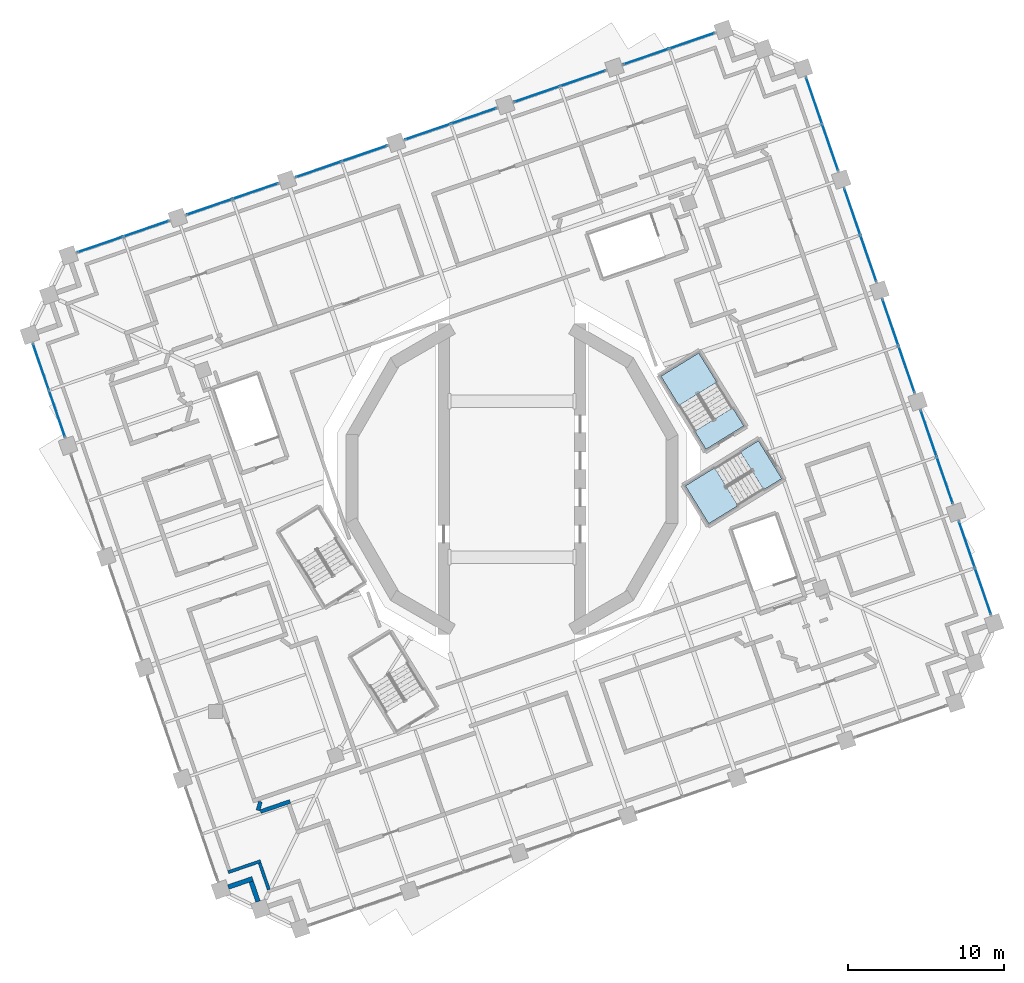
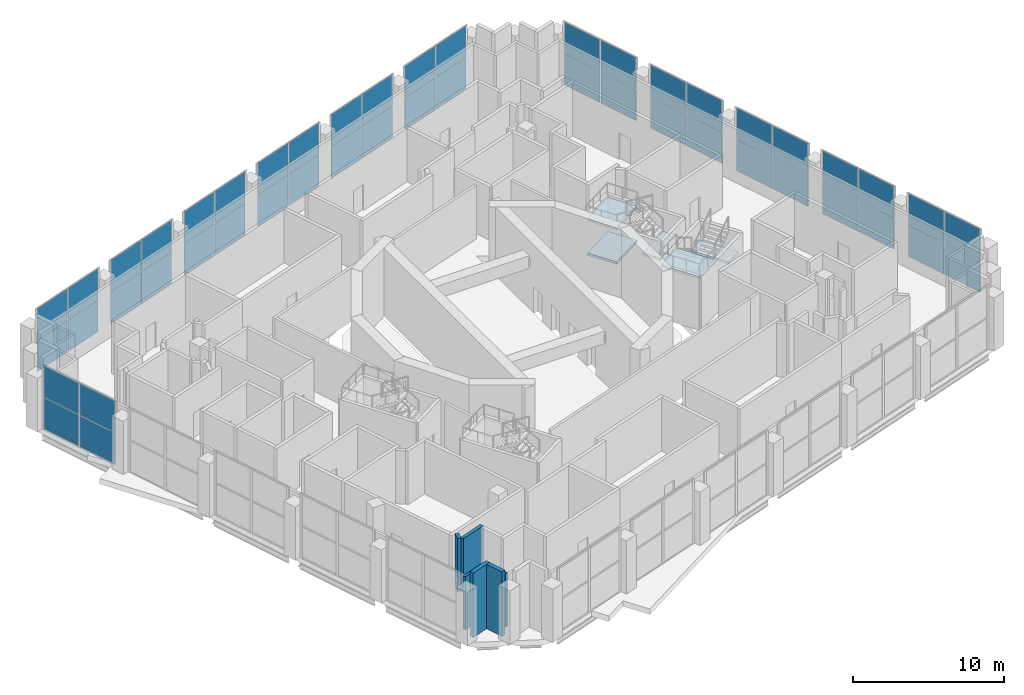
# One storey, part 10 of 20: 48 plates, 6 walls, 5 slabs, 14 elements without a shape of their own.
"""IFC4 building model written with IfcOpenShell, lengths in metres."""

from ifc_helpers import new_model, si_unit, direction, frame, frame_2d, origin, origin_2d, place, context, subcontext, project, spatial, polyline, rectangle, outline, extrude, material, layer, layer_set, type_object, element, aggregate, save


model = new_model("IFC4")

# Units and contexts
model_context = context("Model", 3, precision=1e-05, world=origin(), true_north=direction((0.0, 1.0)))
body_context = subcontext(model_context, "Body", "Model", "MODEL_VIEW")
ifc_project = project(units=[si_unit("LENGTHUNIT", "METRE"), si_unit("AREAUNIT", "SQUARE_METRE"), si_unit("VOLUMEUNIT", "CUBIC_METRE"), si_unit("PLANEANGLEUNIT", "RADIAN"), si_unit("MASSUNIT", "GRAM", prefix="KILO")], contexts=[model_context])

# Site, building, storey
site_placement = place(None, origin())
site = spatial("IfcSite", under=ifc_project, at=site_placement, CompositionType="ELEMENT")
building_placement = place(site_placement, origin())
building = spatial("IfcBuilding", under=site, at=building_placement, Name="Cantera Rosa Tower", CompositionType="ELEMENT")
storey_placement = place(building_placement, frame((0.0, 0.0, 142.10009765625)))
storey = spatial("IfcBuildingStorey", under=building, at=storey_placement, Name="L30", CompositionType="ELEMENT", Elevation=142.10009765625)

# Curtain wall, plates
ifc_material_1 = material(Name="Anodised aluminium louvre", Category="aluminium")
curtain_wall_type = type_object("IfcCurtainWallType", Name="CW3 REFUGE LOUVRE WALL", PredefinedType="NOTDEFINED", material=ifc_material_1)
curtain_wall_1_placement = place(storey_placement, origin())
curtain_wall_1 = element("IfcCurtainWall", 1, at=curtain_wall_1_placement, inside=storey, type_object=curtain_wall_type, Name="CW3 CW3", PredefinedType="NOTDEFINED")
ifc_material_2 = material(Name="Anodised aluminium louvre", Category="aluminium")
ifc_layer_1 = layer(ifc_material_2, 0.028076171875)
ifc_layer_set_1 = layer_set([ifc_layer_1], Name="CW-PANEL REFUGE")
plate_type = type_object("IfcPlateType", Name="CW-PANEL REFUGE", PredefinedType="CURTAIN_PANEL", material=ifc_layer_set_1)
plate_1_placement = place(storey_placement, frame((30.18505859375, -7.189453125, 0.06005859375), z_axis=(0.0, 0.0, 1.0), x_axis=(-0.325568154441, 0.945518575605, 0.0)))
plate_1 = element("IfcPlate", 2, at=plate_1_placement, type_object=plate_type, Name="CW3 panel 1.1", PredefinedType="CURTAIN_PANEL", context=body_context, shape_type="SweptSolid", body=[
    extrude(rectangle(XDim=3.090087890625, YDim=0.028076171875, at=origin_2d()), origin(), (0.0, 0.0, 1.0), 2.510009765625),
])
plate_2_placement = place(storey_placement, frame((30.18505859375, -7.189453125, 2.6298828125), z_axis=(0.0, 0.0, 1.0), x_axis=(-0.325568154441, 0.945518575605, 0.0)))
plate_2 = element("IfcPlate", 3, at=plate_2_placement, type_object=plate_type, Name="CW3 panel 1.2", PredefinedType="CURTAIN_PANEL", context=body_context, shape_type="SweptSolid", body=[
    extrude(rectangle(XDim=3.090087890625, YDim=0.028076171875, at=origin_2d()), origin(), (0.0, 0.0, 1.0), 2.510009765625),
])
plate_3_placement = place(storey_placement, frame((29.153076171875, -4.192138671875, 0.06005859375), z_axis=(0.0, 0.0, 1.0), x_axis=(-0.325568154441, 0.945518575605, 0.0)))
plate_3 = element("IfcPlate", 4, at=plate_3_placement, type_object=plate_type, Name="CW3 panel 2.1", PredefinedType="CURTAIN_PANEL", context=body_context, shape_type="SweptSolid", body=[
    extrude(rectangle(XDim=3.090087890625, YDim=0.028076171875, at=origin_2d()), origin(), (0.0, 0.0, 1.0), 2.510009765625),
])
plate_4_placement = place(storey_placement, frame((29.153076171875, -4.192138671875, 2.6298828125), z_axis=(0.0, 0.0, 1.0), x_axis=(-0.325568154441, 0.945518575605, 0.0)))
plate_4 = element("IfcPlate", 5, at=plate_4_placement, type_object=plate_type, Name="CW3 panel 2.2", PredefinedType="CURTAIN_PANEL", context=body_context, shape_type="SweptSolid", body=[
    extrude(rectangle(XDim=3.090087890625, YDim=0.028076171875, at=origin_2d()), origin(), (0.0, 0.0, 1.0), 2.510009765625),
])
aggregate(curtain_wall_1, [plate_1, plate_2, plate_3, plate_4])

curtain_wall_2_placement = place(storey_placement, origin())
curtain_wall_2 = element("IfcCurtainWall", 6, at=curtain_wall_2_placement, inside=storey, type_object=curtain_wall_type, Name="CW3 CW3", PredefinedType="NOTDEFINED")
plate_5_placement = place(storey_placement, frame((27.73681640625, -0.0791015625, 0.06005859375), z_axis=(0.0, 0.0, 1.0), x_axis=(-0.325568154474, 0.945518575594, 0.0)))
plate_5 = element("IfcPlate", 7, at=plate_5_placement, type_object=plate_type, Name="CW3 panel 1.1", PredefinedType="CURTAIN_PANEL", context=body_context, shape_type="SweptSolid", body=[
    extrude(rectangle(XDim=3.090087890625, YDim=0.028076171875, at=origin_2d()), origin(), (0.0, 0.0, 1.0), 2.510009765625),
])
plate_6_placement = place(storey_placement, frame((27.73681640625, -0.0791015625, 2.6298828125), z_axis=(0.0, 0.0, 1.0), x_axis=(-0.325568154474, 0.945518575594, 0.0)))
plate_6 = element("IfcPlate", 8, at=plate_6_placement, type_object=plate_type, Name="CW3 panel 1.2", PredefinedType="CURTAIN_PANEL", context=body_context, shape_type="SweptSolid", body=[
    extrude(rectangle(XDim=3.090087890625, YDim=0.028076171875, at=origin_2d()), origin(), (0.0, 0.0, 1.0), 2.510009765625),
])
plate_7_placement = place(storey_placement, frame((26.704833984375, 2.918212890625, 0.06005859375), z_axis=(0.0, 0.0, 1.0), x_axis=(-0.325568154474, 0.945518575594, 0.0)))
plate_7 = element("IfcPlate", 9, at=plate_7_placement, type_object=plate_type, Name="CW3 panel 2.1", PredefinedType="CURTAIN_PANEL", context=body_context, shape_type="SweptSolid", body=[
    extrude(rectangle(XDim=3.090087890625, YDim=0.028076171875, at=origin_2d()), origin(), (0.0, 0.0, 1.0), 2.510009765625),
])
plate_8_placement = place(storey_placement, frame((26.704833984375, 2.918212890625, 2.6298828125), z_axis=(0.0, 0.0, 1.0), x_axis=(-0.325568154474, 0.945518575594, 0.0)))
plate_8 = element("IfcPlate", 10, at=plate_8_placement, type_object=plate_type, Name="CW3 panel 2.2", PredefinedType="CURTAIN_PANEL", context=body_context, shape_type="SweptSolid", body=[
    extrude(rectangle(XDim=3.090087890625, YDim=0.028076171875, at=origin_2d()), origin(), (0.0, 0.0, 1.0), 2.510009765625),
])
aggregate(curtain_wall_2, [plate_5, plate_6, plate_7, plate_8])

curtain_wall_3_placement = place(storey_placement, origin())
curtain_wall_3 = element("IfcCurtainWall", 11, at=curtain_wall_3_placement, inside=storey, type_object=curtain_wall_type, Name="CW3 CW3", PredefinedType="NOTDEFINED")
plate_9_placement = place(storey_placement, frame((25.28857421875, 7.03125, 0.06005859375), z_axis=(0.0, 0.0, 1.0), x_axis=(-0.325568154441, 0.945518575605, 0.0)))
plate_9 = element("IfcPlate", 12, at=plate_9_placement, type_object=plate_type, Name="CW3 panel 1.1", PredefinedType="CURTAIN_PANEL", context=body_context, shape_type="SweptSolid", body=[
    extrude(rectangle(XDim=3.090087890625, YDim=0.028076171875, at=origin_2d()), origin(), (0.0, 0.0, 1.0), 2.510009765625),
])
plate_10_placement = place(storey_placement, frame((25.28857421875, 7.03125, 2.6298828125), z_axis=(0.0, 0.0, 1.0), x_axis=(-0.325568154441, 0.945518575605, 0.0)))
plate_10 = element("IfcPlate", 13, at=plate_10_placement, type_object=plate_type, Name="CW3 panel 1.2", PredefinedType="CURTAIN_PANEL", context=body_context, shape_type="SweptSolid", body=[
    extrude(rectangle(XDim=3.090087890625, YDim=0.028076171875, at=origin_2d()), origin(), (0.0, 0.0, 1.0), 2.510009765625),
])
plate_11_placement = place(storey_placement, frame((24.256591796875, 10.028564453125, 0.06005859375), z_axis=(0.0, 0.0, 1.0), x_axis=(-0.325568154441, 0.945518575605, 0.0)))
plate_11 = element("IfcPlate", 14, at=plate_11_placement, type_object=plate_type, Name="CW3 panel 2.1", PredefinedType="CURTAIN_PANEL", context=body_context, shape_type="SweptSolid", body=[
    extrude(rectangle(XDim=3.090087890625, YDim=0.028076171875, at=origin_2d()), origin(), (0.0, 0.0, 1.0), 2.510009765625),
])
plate_12_placement = place(storey_placement, frame((24.256591796875, 10.028564453125, 2.6298828125), z_axis=(0.0, 0.0, 1.0), x_axis=(-0.325568154441, 0.945518575605, 0.0)))
plate_12 = element("IfcPlate", 15, at=plate_12_placement, type_object=plate_type, Name="CW3 panel 2.2", PredefinedType="CURTAIN_PANEL", context=body_context, shape_type="SweptSolid", body=[
    extrude(rectangle(XDim=3.090087890625, YDim=0.028076171875, at=origin_2d()), origin(), (0.0, 0.0, 1.0), 2.510009765625),
])
aggregate(curtain_wall_3, [plate_9, plate_10, plate_11, plate_12])

curtain_wall_4_placement = place(storey_placement, origin())
curtain_wall_4 = element("IfcCurtainWall", 16, at=curtain_wall_4_placement, inside=storey, type_object=curtain_wall_type, Name="CW3 CW3", PredefinedType="NOTDEFINED")
plate_13_placement = place(storey_placement, frame((22.84033203125, 14.1416015625, 0.06005859375), z_axis=(0.0, 0.0, 1.0), x_axis=(-0.325568154474, 0.945518575594, 0.0)))
plate_13 = element("IfcPlate", 17, at=plate_13_placement, type_object=plate_type, Name="CW3 panel 1.1", PredefinedType="CURTAIN_PANEL", context=body_context, shape_type="SweptSolid", body=[
    extrude(rectangle(XDim=3.090087890625, YDim=0.028076171875, at=origin_2d()), origin(), (0.0, 0.0, 1.0), 2.510009765625),
])
plate_14_placement = place(storey_placement, frame((22.84033203125, 14.1416015625, 2.6298828125), z_axis=(0.0, 0.0, 1.0), x_axis=(-0.325568154474, 0.945518575594, 0.0)))
plate_14 = element("IfcPlate", 18, at=plate_14_placement, type_object=plate_type, Name="CW3 panel 1.2", PredefinedType="CURTAIN_PANEL", context=body_context, shape_type="SweptSolid", body=[
    extrude(rectangle(XDim=3.090087890625, YDim=0.028076171875, at=origin_2d()), origin(), (0.0, 0.0, 1.0), 2.510009765625),
])
plate_15_placement = place(storey_placement, frame((21.808349609375, 17.138916015625, 0.06005859375), z_axis=(0.0, 0.0, 1.0), x_axis=(-0.325568154474, 0.945518575594, 0.0)))
plate_15 = element("IfcPlate", 19, at=plate_15_placement, type_object=plate_type, Name="CW3 panel 2.1", PredefinedType="CURTAIN_PANEL", context=body_context, shape_type="SweptSolid", body=[
    extrude(rectangle(XDim=3.090087890625, YDim=0.028076171875, at=origin_2d()), origin(), (0.0, 0.0, 1.0), 2.510009765625),
])
plate_16_placement = place(storey_placement, frame((21.808349609375, 17.138916015625, 2.6298828125), z_axis=(0.0, 0.0, 1.0), x_axis=(-0.325568154474, 0.945518575594, 0.0)))
plate_16 = element("IfcPlate", 20, at=plate_16_placement, type_object=plate_type, Name="CW3 panel 2.2", PredefinedType="CURTAIN_PANEL", context=body_context, shape_type="SweptSolid", body=[
    extrude(rectangle(XDim=3.090087890625, YDim=0.028076171875, at=origin_2d()), origin(), (0.0, 0.0, 1.0), 2.510009765625),
])
aggregate(curtain_wall_4, [plate_13, plate_14, plate_15, plate_16])

curtain_wall_5_placement = place(storey_placement, origin())
curtain_wall_5 = element("IfcCurtainWall", 21, at=curtain_wall_5_placement, inside=storey, type_object=curtain_wall_type, Name="CW3 CW3", PredefinedType="NOTDEFINED")
plate_17_placement = place(storey_placement, frame((20.39208984375, 21.251953125, 0.06005859375), z_axis=(0.0, 0.0, 1.0), x_axis=(-0.325568154441, 0.945518575605, 0.0)))
plate_17 = element("IfcPlate", 22, at=plate_17_placement, type_object=plate_type, Name="CW3 panel 1.1", PredefinedType="CURTAIN_PANEL", context=body_context, shape_type="SweptSolid", body=[
    extrude(rectangle(XDim=3.090087890625, YDim=0.028076171875, at=origin_2d()), origin(), (0.0, 0.0, 1.0), 2.510009765625),
])
plate_18_placement = place(storey_placement, frame((20.39208984375, 21.251953125, 2.6298828125), z_axis=(0.0, 0.0, 1.0), x_axis=(-0.325568154441, 0.945518575605, 0.0)))
plate_18 = element("IfcPlate", 23, at=plate_18_placement, type_object=plate_type, Name="CW3 panel 1.2", PredefinedType="CURTAIN_PANEL", context=body_context, shape_type="SweptSolid", body=[
    extrude(rectangle(XDim=3.090087890625, YDim=0.028076171875, at=origin_2d()), origin(), (0.0, 0.0, 1.0), 2.510009765625),
])
plate_19_placement = place(storey_placement, frame((19.360107421875, 24.2490234375, 0.06005859375), z_axis=(0.0, 0.0, 1.0), x_axis=(-0.325568154441, 0.945518575605, 0.0)))
plate_19 = element("IfcPlate", 24, at=plate_19_placement, type_object=plate_type, Name="CW3 panel 2.1", PredefinedType="CURTAIN_PANEL", context=body_context, shape_type="SweptSolid", body=[
    extrude(rectangle(XDim=3.090087890625, YDim=0.028076171875, at=origin_2d()), origin(), (0.0, 0.0, 1.0), 2.510009765625),
])
plate_20_placement = place(storey_placement, frame((19.360107421875, 24.2490234375, 2.6298828125), z_axis=(0.0, 0.0, 1.0), x_axis=(-0.325568154441, 0.945518575605, 0.0)))
plate_20 = element("IfcPlate", 25, at=plate_20_placement, type_object=plate_type, Name="CW3 panel 2.2", PredefinedType="CURTAIN_PANEL", context=body_context, shape_type="SweptSolid", body=[
    extrude(rectangle(XDim=3.090087890625, YDim=0.028076171875, at=origin_2d()), origin(), (0.0, 0.0, 1.0), 2.510009765625),
])
aggregate(curtain_wall_5, [plate_17, plate_18, plate_19, plate_20])

curtain_wall_6_placement = place(storey_placement, origin())
curtain_wall_6 = element("IfcCurtainWall", 26, at=curtain_wall_6_placement, inside=storey, type_object=curtain_wall_type, Name="CW3 CW3", PredefinedType="NOTDEFINED")
plate_21_placement = place(storey_placement, frame((11.539306640625, 28.087158203125, 0.06005859375), z_axis=(0.0, 0.0, 1.0), x_axis=(-0.945518575616, -0.325568154408, 0.0)))
plate_21 = element("IfcPlate", 27, at=plate_21_placement, type_object=plate_type, Name="CW3 panel 1.1", PredefinedType="CURTAIN_PANEL", context=body_context, shape_type="SweptSolid", body=[
    extrude(rectangle(XDim=3.030029296875, YDim=0.028076171875, at=origin_2d()), origin(), (0.0, 0.0, 1.0), 2.510009765625),
])
plate_22_placement = place(storey_placement, frame((11.539306640625, 28.087158203125, 2.6298828125), z_axis=(0.0, 0.0, 1.0), x_axis=(-0.945518575616, -0.325568154408, 0.0)))
plate_22 = element("IfcPlate", 28, at=plate_22_placement, type_object=plate_type, Name="CW3 panel 1.2", PredefinedType="CURTAIN_PANEL", context=body_context, shape_type="SweptSolid", body=[
    extrude(rectangle(XDim=3.030029296875, YDim=0.028076171875, at=origin_2d()), origin(), (0.0, 0.0, 1.0), 2.510009765625),
])
plate_23_placement = place(storey_placement, frame((8.598876953125, 27.074462890625, 0.06005859375), z_axis=(0.0, 0.0, 1.0), x_axis=(-0.945518575616, -0.325568154408, 0.0)))
plate_23 = element("IfcPlate", 29, at=plate_23_placement, type_object=plate_type, Name="CW3 panel 2.1", PredefinedType="CURTAIN_PANEL", context=body_context, shape_type="SweptSolid", body=[
    extrude(rectangle(XDim=3.030029296875, YDim=0.028076171875, at=origin_2d()), origin(), (0.0, 0.0, 1.0), 2.510009765625),
])
plate_24_placement = place(storey_placement, frame((8.598876953125, 27.074462890625, 2.6298828125), z_axis=(0.0, 0.0, 1.0), x_axis=(-0.945518575616, -0.325568154408, 0.0)))
plate_24 = element("IfcPlate", 30, at=plate_24_placement, type_object=plate_type, Name="CW3 panel 2.2", PredefinedType="CURTAIN_PANEL", context=body_context, shape_type="SweptSolid", body=[
    extrude(rectangle(XDim=3.030029296875, YDim=0.028076171875, at=origin_2d()), origin(), (0.0, 0.0, 1.0), 2.510009765625),
])
aggregate(curtain_wall_6, [plate_21, plate_22, plate_23, plate_24])

curtain_wall_7_placement = place(storey_placement, origin())
curtain_wall_7 = element("IfcCurtainWall", 31, at=curtain_wall_7_placement, inside=storey, type_object=curtain_wall_type, Name="CW3 CW3", PredefinedType="NOTDEFINED")
plate_25_placement = place(storey_placement, frame((4.54248046875, 25.677978515625, 0.06005859375), z_axis=(0.0, 0.0, 1.0), x_axis=(-0.945518575599, -0.325568154457, 0.0)))
plate_25 = element("IfcPlate", 32, at=plate_25_placement, type_object=plate_type, Name="CW3 panel 1.1", PredefinedType="CURTAIN_PANEL", context=body_context, shape_type="SweptSolid", body=[
    extrude(rectangle(XDim=3.030029296875, YDim=0.028076171875, at=origin_2d()), origin(), (0.0, 0.0, 1.0), 2.510009765625),
])
plate_26_placement = place(storey_placement, frame((4.54248046875, 25.677978515625, 2.6298828125), z_axis=(0.0, 0.0, 1.0), x_axis=(-0.945518575599, -0.325568154457, 0.0)))
plate_26 = element("IfcPlate", 33, at=plate_26_placement, type_object=plate_type, Name="CW3 panel 1.2", PredefinedType="CURTAIN_PANEL", context=body_context, shape_type="SweptSolid", body=[
    extrude(rectangle(XDim=3.030029296875, YDim=0.028076171875, at=origin_2d()), origin(), (0.0, 0.0, 1.0), 2.510009765625),
])
plate_27_placement = place(storey_placement, frame((1.60205078125, 24.665283203125, 0.06005859375), z_axis=(0.0, 0.0, 1.0), x_axis=(-0.945518575599, -0.325568154457, 0.0)))
plate_27 = element("IfcPlate", 34, at=plate_27_placement, type_object=plate_type, Name="CW3 panel 2.1", PredefinedType="CURTAIN_PANEL", context=body_context, shape_type="SweptSolid", body=[
    extrude(rectangle(XDim=3.030029296875, YDim=0.028076171875, at=origin_2d()), origin(), (0.0, 0.0, 1.0), 2.510009765625),
])
plate_28_placement = place(storey_placement, frame((1.60205078125, 24.665283203125, 2.6298828125), z_axis=(0.0, 0.0, 1.0), x_axis=(-0.945518575599, -0.325568154457, 0.0)))
plate_28 = element("IfcPlate", 35, at=plate_28_placement, type_object=plate_type, Name="CW3 panel 2.2", PredefinedType="CURTAIN_PANEL", context=body_context, shape_type="SweptSolid", body=[
    extrude(rectangle(XDim=3.030029296875, YDim=0.028076171875, at=origin_2d()), origin(), (0.0, 0.0, 1.0), 2.510009765625),
])
aggregate(curtain_wall_7, [plate_25, plate_26, plate_27, plate_28])

curtain_wall_8_placement = place(storey_placement, origin())
curtain_wall_8 = element("IfcCurtainWall", 36, at=curtain_wall_8_placement, inside=storey, type_object=curtain_wall_type, Name="CW3 CW3", PredefinedType="NOTDEFINED")
plate_29_placement = place(storey_placement, frame((-2.454345703125, 23.268798828125, 0.06005859375), z_axis=(0.0, 0.0, 1.0), x_axis=(-0.945518575616, -0.325568154408, 0.0)))
plate_29 = element("IfcPlate", 37, at=plate_29_placement, type_object=plate_type, Name="CW3 panel 1.1", PredefinedType="CURTAIN_PANEL", context=body_context, shape_type="SweptSolid", body=[
    extrude(rectangle(XDim=3.030029296875, YDim=0.028076171875, at=origin_2d()), origin(), (0.0, 0.0, 1.0), 2.510009765625),
])
plate_30_placement = place(storey_placement, frame((-2.454345703125, 23.268798828125, 2.6298828125), z_axis=(0.0, 0.0, 1.0), x_axis=(-0.945518575616, -0.325568154408, 0.0)))
plate_30 = element("IfcPlate", 38, at=plate_30_placement, type_object=plate_type, Name="CW3 panel 1.2", PredefinedType="CURTAIN_PANEL", context=body_context, shape_type="SweptSolid", body=[
    extrude(rectangle(XDim=3.030029296875, YDim=0.028076171875, at=origin_2d()), origin(), (0.0, 0.0, 1.0), 2.510009765625),
])
plate_31_placement = place(storey_placement, frame((-5.394775390625, 22.256103515625, 0.06005859375), z_axis=(0.0, 0.0, 1.0), x_axis=(-0.945518575616, -0.325568154408, 0.0)))
plate_31 = element("IfcPlate", 39, at=plate_31_placement, type_object=plate_type, Name="CW3 panel 2.1", PredefinedType="CURTAIN_PANEL", context=body_context, shape_type="SweptSolid", body=[
    extrude(rectangle(XDim=3.030029296875, YDim=0.028076171875, at=origin_2d()), origin(), (0.0, 0.0, 1.0), 2.510009765625),
])
plate_32_placement = place(storey_placement, frame((-5.394775390625, 22.256103515625, 2.6298828125), z_axis=(0.0, 0.0, 1.0), x_axis=(-0.945518575616, -0.325568154408, 0.0)))
plate_32 = element("IfcPlate", 40, at=plate_32_placement, type_object=plate_type, Name="CW3 panel 2.2", PredefinedType="CURTAIN_PANEL", context=body_context, shape_type="SweptSolid", body=[
    extrude(rectangle(XDim=3.030029296875, YDim=0.028076171875, at=origin_2d()), origin(), (0.0, 0.0, 1.0), 2.510009765625),
])
aggregate(curtain_wall_8, [plate_29, plate_30, plate_31, plate_32])

curtain_wall_9_placement = place(storey_placement, origin())
curtain_wall_9 = element("IfcCurtainWall", 41, at=curtain_wall_9_placement, inside=storey, type_object=curtain_wall_type, Name="CW3 CW3", PredefinedType="NOTDEFINED")
plate_33_placement = place(storey_placement, frame((-9.451171875, 20.859375, 0.06005859375), z_axis=(0.0, 0.0, 1.0), x_axis=(-0.945518575599, -0.325568154457, 0.0)))
plate_33 = element("IfcPlate", 42, at=plate_33_placement, type_object=plate_type, Name="CW3 panel 1.1", PredefinedType="CURTAIN_PANEL", context=body_context, shape_type="SweptSolid", body=[
    extrude(rectangle(XDim=3.030029296875, YDim=0.028076171875, at=origin_2d()), origin(), (0.0, 0.0, 1.0), 2.510009765625),
])
plate_34_placement = place(storey_placement, frame((-9.451171875, 20.859375, 2.6298828125), z_axis=(0.0, 0.0, 1.0), x_axis=(-0.945518575599, -0.325568154457, 0.0)))
plate_34 = element("IfcPlate", 43, at=plate_34_placement, type_object=plate_type, Name="CW3 panel 1.2", PredefinedType="CURTAIN_PANEL", context=body_context, shape_type="SweptSolid", body=[
    extrude(rectangle(XDim=3.030029296875, YDim=0.028076171875, at=origin_2d()), origin(), (0.0, 0.0, 1.0), 2.510009765625),
])
plate_35_placement = place(storey_placement, frame((-12.3916015625, 19.846923828125, 0.06005859375), z_axis=(0.0, 0.0, 1.0), x_axis=(-0.945518575599, -0.325568154457, 0.0)))
plate_35 = element("IfcPlate", 44, at=plate_35_placement, type_object=plate_type, Name="CW3 panel 2.1", PredefinedType="CURTAIN_PANEL", context=body_context, shape_type="SweptSolid", body=[
    extrude(rectangle(XDim=3.030029296875, YDim=0.028076171875, at=origin_2d()), origin(), (0.0, 0.0, 1.0), 2.510009765625),
])
plate_36_placement = place(storey_placement, frame((-12.3916015625, 19.846923828125, 2.6298828125), z_axis=(0.0, 0.0, 1.0), x_axis=(-0.945518575599, -0.325568154457, 0.0)))
plate_36 = element("IfcPlate", 45, at=plate_36_placement, type_object=plate_type, Name="CW3 panel 2.2", PredefinedType="CURTAIN_PANEL", context=body_context, shape_type="SweptSolid", body=[
    extrude(rectangle(XDim=3.030029296875, YDim=0.028076171875, at=origin_2d()), origin(), (0.0, 0.0, 1.0), 2.510009765625),
])
aggregate(curtain_wall_9, [plate_33, plate_34, plate_35, plate_36])

curtain_wall_10_placement = place(storey_placement, origin())
curtain_wall_10 = element("IfcCurtainWall", 46, at=curtain_wall_10_placement, inside=storey, type_object=curtain_wall_type, Name="CW3 CW3", PredefinedType="NOTDEFINED")
plate_37_placement = place(storey_placement, frame((-16.447998046875, 18.4501953125, 0.06005859375), z_axis=(0.0, 0.0, 1.0), x_axis=(-0.945518575599, -0.325568154457, 0.0)))
plate_37 = element("IfcPlate", 47, at=plate_37_placement, type_object=plate_type, Name="CW3 panel 1.1", PredefinedType="CURTAIN_PANEL", context=body_context, shape_type="SweptSolid", body=[
    extrude(rectangle(XDim=3.030029296875, YDim=0.028076171875, at=origin_2d()), origin(), (0.0, 0.0, 1.0), 2.510009765625),
])
plate_38_placement = place(storey_placement, frame((-16.447998046875, 18.4501953125, 2.6298828125), z_axis=(0.0, 0.0, 1.0), x_axis=(-0.945518575599, -0.325568154457, 0.0)))
plate_38 = element("IfcPlate", 48, at=plate_38_placement, type_object=plate_type, Name="CW3 panel 1.2", PredefinedType="CURTAIN_PANEL", context=body_context, shape_type="SweptSolid", body=[
    extrude(rectangle(XDim=3.030029296875, YDim=0.028076171875, at=origin_2d()), origin(), (0.0, 0.0, 1.0), 2.510009765625),
])
plate_39_placement = place(storey_placement, frame((-19.388427734375, 17.437744140625, 0.06005859375), z_axis=(0.0, 0.0, 1.0), x_axis=(-0.945518575599, -0.325568154457, 0.0)))
plate_39 = element("IfcPlate", 49, at=plate_39_placement, type_object=plate_type, Name="CW3 panel 2.1", PredefinedType="CURTAIN_PANEL", context=body_context, shape_type="SweptSolid", body=[
    extrude(rectangle(XDim=3.030029296875, YDim=0.028076171875, at=origin_2d()), origin(), (0.0, 0.0, 1.0), 2.510009765625),
])
plate_40_placement = place(storey_placement, frame((-19.388427734375, 17.437744140625, 2.6298828125), z_axis=(0.0, 0.0, 1.0), x_axis=(-0.945518575599, -0.325568154457, 0.0)))
plate_40 = element("IfcPlate", 50, at=plate_40_placement, type_object=plate_type, Name="CW3 panel 2.2", PredefinedType="CURTAIN_PANEL", context=body_context, shape_type="SweptSolid", body=[
    extrude(rectangle(XDim=3.030029296875, YDim=0.028076171875, at=origin_2d()), origin(), (0.0, 0.0, 1.0), 2.510009765625),
])
aggregate(curtain_wall_10, [plate_37, plate_38, plate_39, plate_40])

curtain_wall_11_placement = place(storey_placement, origin())
curtain_wall_11 = element("IfcCurtainWall", 51, at=curtain_wall_11_placement, inside=storey, type_object=curtain_wall_type, Name="CW3 CW3", PredefinedType="NOTDEFINED")
plate_41_placement = place(storey_placement, frame((-23.44482421875, 16.041015625, 0.06005859375), z_axis=(0.0, 0.0, 1.0), x_axis=(-0.945518575599, -0.325568154457, 0.0)))
plate_41 = element("IfcPlate", 52, at=plate_41_placement, type_object=plate_type, Name="CW3 panel 1.1", PredefinedType="CURTAIN_PANEL", context=body_context, shape_type="SweptSolid", body=[
    extrude(rectangle(XDim=3.030029296875, YDim=0.028076171875, at=origin_2d()), origin(), (0.0, 0.0, 1.0), 2.510009765625),
])
plate_42_placement = place(storey_placement, frame((-23.44482421875, 16.041015625, 2.6298828125), z_axis=(0.0, 0.0, 1.0), x_axis=(-0.945518575599, -0.325568154457, 0.0)))
plate_42 = element("IfcPlate", 53, at=plate_42_placement, type_object=plate_type, Name="CW3 panel 1.2", PredefinedType="CURTAIN_PANEL", context=body_context, shape_type="SweptSolid", body=[
    extrude(rectangle(XDim=3.030029296875, YDim=0.028076171875, at=origin_2d()), origin(), (0.0, 0.0, 1.0), 2.510009765625),
])
plate_43_placement = place(storey_placement, frame((-26.38525390625, 15.028564453125, 0.06005859375), z_axis=(0.0, 0.0, 1.0), x_axis=(-0.945518575599, -0.325568154457, 0.0)))
plate_43 = element("IfcPlate", 54, at=plate_43_placement, type_object=plate_type, Name="CW3 panel 2.1", PredefinedType="CURTAIN_PANEL", context=body_context, shape_type="SweptSolid", body=[
    extrude(rectangle(XDim=3.030029296875, YDim=0.028076171875, at=origin_2d()), origin(), (0.0, 0.0, 1.0), 2.510009765625),
])
plate_44_placement = place(storey_placement, frame((-26.38525390625, 15.028564453125, 2.6298828125), z_axis=(0.0, 0.0, 1.0), x_axis=(-0.945518575599, -0.325568154457, 0.0)))
plate_44 = element("IfcPlate", 55, at=plate_44_placement, type_object=plate_type, Name="CW3 panel 2.2", PredefinedType="CURTAIN_PANEL", context=body_context, shape_type="SweptSolid", body=[
    extrude(rectangle(XDim=3.030029296875, YDim=0.028076171875, at=origin_2d()), origin(), (0.0, 0.0, 1.0), 2.510009765625),
])
aggregate(curtain_wall_11, [plate_41, plate_42, plate_43, plate_44])

curtain_wall_12_placement = place(storey_placement, origin())
curtain_wall_12 = element("IfcCurtainWall", 56, at=curtain_wall_12_placement, inside=storey, type_object=curtain_wall_type, Name="CW3 CW3", PredefinedType="NOTDEFINED")
plate_45_placement = place(storey_placement, frame((-30.18505859375, 7.189453125, 0.06005859375), z_axis=(0.0, 0.0, 1.0), x_axis=(0.325568154441, -0.945518575605, 0.0)))
plate_45 = element("IfcPlate", 57, at=plate_45_placement, type_object=plate_type, Name="CW3 panel 1.1", PredefinedType="CURTAIN_PANEL", context=body_context, shape_type="SweptSolid", body=[
    extrude(rectangle(XDim=3.090087890625, YDim=0.028076171875, at=origin_2d()), origin(), (0.0, 0.0, 1.0), 2.510009765625),
])
plate_46_placement = place(storey_placement, frame((-30.18505859375, 7.189453125, 2.6298828125), z_axis=(0.0, 0.0, 1.0), x_axis=(0.325568154441, -0.945518575605, 0.0)))
plate_46 = element("IfcPlate", 58, at=plate_46_placement, type_object=plate_type, Name="CW3 panel 1.2", PredefinedType="CURTAIN_PANEL", context=body_context, shape_type="SweptSolid", body=[
    extrude(rectangle(XDim=3.090087890625, YDim=0.028076171875, at=origin_2d()), origin(), (0.0, 0.0, 1.0), 2.510009765625),
])
plate_47_placement = place(storey_placement, frame((-29.153076171875, 4.192138671875, 0.06005859375), z_axis=(0.0, 0.0, 1.0), x_axis=(0.325568154441, -0.945518575605, 0.0)))
plate_47 = element("IfcPlate", 59, at=plate_47_placement, type_object=plate_type, Name="CW3 panel 2.1", PredefinedType="CURTAIN_PANEL", context=body_context, shape_type="SweptSolid", body=[
    extrude(rectangle(XDim=3.090087890625, YDim=0.028076171875, at=origin_2d()), origin(), (0.0, 0.0, 1.0), 2.510009765625),
])
plate_48_placement = place(storey_placement, frame((-29.153076171875, 4.192138671875, 2.6298828125), z_axis=(0.0, 0.0, 1.0), x_axis=(0.325568154441, -0.945518575605, 0.0)))
plate_48 = element("IfcPlate", 60, at=plate_48_placement, type_object=plate_type, Name="CW3 panel 2.2", PredefinedType="CURTAIN_PANEL", context=body_context, shape_type="SweptSolid", body=[
    extrude(rectangle(XDim=3.090087890625, YDim=0.028076171875, at=origin_2d()), origin(), (0.0, 0.0, 1.0), 2.510009765625),
])
aggregate(curtain_wall_12, [plate_45, plate_46, plate_47, plate_48])

# Stair, slabs
ifc_material_3 = material(Name="Concrete C35/45", Category="concrete")
stair_type = type_object("IfcStairType", Name="EXIT STAIR 1350 DOGLEG", PredefinedType="HALF_TURN_STAIR", material=ifc_material_3)
stair_1_placement = place(storey_placement, origin())
stair_1 = element("IfcStair", 61, at=stair_1_placement, inside=storey, type_object=stair_type, Name="L30 ST-31", PredefinedType="HALF_TURN_STAIR")
ifc_material_4 = material(Name="Concrete C35/45", Category="concrete")
ifc_layer_2 = layer(ifc_material_4, 0.199951171875)
ifc_layer_set_2 = layer_set([ifc_layer_2], Name="STAIR LANDING 200")
slab_type = type_object("IfcSlabType", Name="STAIR LANDING 200", PredefinedType="LANDING", material=ifc_layer_set_2)
slab_1_placement = place(storey_placement, frame((0.0, 0.0, 1.1748046875)))
slab_1 = element("IfcSlab", 62, at=slab_1_placement, type_object=slab_type, Name="ST-31 landing 1", PredefinedType="LANDING", context=body_context, shape_type="SweptSolid", body=[
    extrude(outline(polyline([(13.125244140625, 6.214599609375), (11.96923828125, 8.088623046875), (9.54345703125, 6.592529296875), (10.699462890625, 4.71826171875), (13.125244140625, 6.214599609375)])), origin(), (0.0, 0.0, 1.0), 0.2001953125),
])
slab_2_placement = place(storey_placement, frame((0.0, 0.0, 2.5498046875)))
slab_2 = element("IfcSlab", 63, at=slab_2_placement, type_object=slab_type, Name="ST-31 landing 2", PredefinedType="LANDING", context=body_context, shape_type="SweptSolid", body=[
    extrude(outline(polyline([(14.8564453125, 3.407470703125), (14.1416015625, 4.566650390625), (11.7158203125, 3.070556640625), (12.430908203125, 1.911376953125), (14.8564453125, 3.407470703125)])), origin(), (0.0, 0.0, 1.0), 0.2001953125),
])
slab_3_placement = place(storey_placement, frame((0.0, 0.0, 3.9248046875)))
slab_3 = element("IfcSlab", 64, at=slab_3_placement, type_object=slab_type, Name="ST-31 landing 3", PredefinedType="LANDING", context=body_context, shape_type="SweptSolid", body=[
    extrude(outline(polyline([(13.125244140625, 6.214599609375), (11.96923828125, 8.088623046875), (9.54345703125, 6.592529296875), (10.699462890625, 4.71826171875), (13.125244140625, 6.214599609375)])), origin(), (0.0, 0.0, 1.0), 0.2001953125),
])
aggregate(stair_1, [slab_1, slab_2, slab_3])

stair_2_placement = place(storey_placement, origin())
stair_2 = element("IfcStair", 65, at=stair_2_placement, inside=storey, type_object=stair_type, Name="L30 ST-34", PredefinedType="HALF_TURN_STAIR")
slab_4_placement = place(storey_placement, frame((0.0, 0.0, 2.5498046875)))
slab_4 = element("IfcSlab", 66, at=slab_4_placement, type_object=slab_type, Name="ST-34 landing 2", PredefinedType="LANDING", context=body_context, shape_type="SweptSolid", body=[
    extrude(outline(polyline([(15.79248046875, 2.45654296875), (14.63330078125, 1.741455078125), (16.12939453125, -0.68408203125), (17.28857421875, 0.03076171875), (15.79248046875, 2.45654296875)])), origin(), (0.0, 0.0, 1.0), 0.2001953125),
])
slab_5_placement = place(storey_placement, frame((0.0, 0.0, 3.9248046875)))
slab_5 = element("IfcSlab", 67, at=slab_5_placement, type_object=slab_type, Name="ST-34 landing 3", PredefinedType="LANDING", context=body_context, shape_type="SweptSolid", body=[
    extrude(outline(polyline([(12.985595703125, 0.72509765625), (11.111328125, -0.430908203125), (12.607421875, -2.8564453125), (14.481689453125, -1.700439453125), (12.985595703125, 0.72509765625)])), origin(), (0.0, 0.0, 1.0), 0.2001953125),
])
aggregate(stair_2, [slab_4, slab_5])

# Walls
ifc_material_5 = material(Name="Masonry blockwork", Category="masonry")
ifc_layer_3 = layer(ifc_material_5, 0.199951171875)
ifc_layer_set_3 = layer_set([ifc_layer_3], Name="Blockwork partition 200")
wall_type_1 = type_object("IfcWallType", Name="Blockwork partition 200", PredefinedType="PARTITIONING", material=ifc_layer_set_3)
wall_1_placement = place(storey_placement, frame((-15.584228515625, -26.306884765625, 0.0), z_axis=(0.0, 0.0, 1.0), x_axis=(-0.325652087248, 0.945489671055, 0.0)))
element("IfcWall", 68, at=wall_1_placement, inside=storey, type_object=wall_type_1, Name="Partition L30-113", PredefinedType="PARTITIONING", context=body_context, shape_type="SweptSolid", body=[
    extrude(rectangle(XDim=1.800048828125, YDim=0.199951171875, at=frame_2d((0.89990234375, 0.0))), origin(), (0.0, 0.0, 1.0), 4.2998046875),
])
wall_2_placement = place(storey_placement, frame((-18.1884765625, -25.194091796875, 0.0), z_axis=(0.0, 0.0, 1.0), x_axis=(0.945541505529, 0.325501553488, 0.0)))
element("IfcWall", 69, at=wall_2_placement, inside=storey, type_object=wall_type_1, Name="Partition L30-115", PredefinedType="PARTITIONING", context=body_context, shape_type="SweptSolid", body=[
    extrude(rectangle(XDim=2.199951171875, YDim=0.199951171875, at=frame_2d((1.10009765625, 0.0))), origin(), (0.0, 0.0, 1.0), 4.2998046875),
])
ifc_material_6 = material(Name="Hollow clay masonry with cantera stone cladding", Category="masonry")
ifc_layer_4 = layer(ifc_material_6, 0.300048828125)
ifc_layer_set_4 = layer_set([ifc_layer_4], Name="EW-LOGGIA 300")
wall_type_2 = type_object("IfcWallType", Name="EW-LOGGIA 300", PredefinedType="SOLIDWALL", material=ifc_layer_set_4)
wall_3_placement = place(storey_placement, frame((-18.17919921875, -26.142822265625, 0.0), z_axis=(0.0, 0.0, 1.0), x_axis=(0.945530119553, 0.32553462645, 0.0)))
element("IfcWall", 70, at=wall_3_placement, inside=storey, type_object=wall_type_2, Name="EN-L30-W21a", PredefinedType="SOLIDWALL", context=body_context, shape_type="SweptSolid", body=[
    extrude(rectangle(XDim=1.64990234375, YDim=0.300048828125, at=frame_2d((0.824951171875, 0.0))), origin(), (0.0, 0.0, 1.0), 5.199951171875),
])
wall_4_placement = place(storey_placement, frame((-16.7119140625, -25.79638671875, 0.0), z_axis=(0.0, 0.0, 1.0), x_axis=(0.325544748006, -0.945526634763, 0.0)))
element("IfcWall", 71, at=wall_4_placement, inside=storey, type_object=wall_type_2, Name="EN-L30-W21b", PredefinedType="SOLIDWALL", context=body_context, shape_type="SweptSolid", body=[
    extrude(rectangle(XDim=1.349853515625, YDim=0.300048828125, at=frame_2d((0.6748046875, 0.0))), origin(), (0.0, 0.0, 1.0), 5.199951171875),
])
ifc_material_7 = material(Name="Masonry blockwork", Category="masonry")
ifc_layer_5 = layer(ifc_material_7, 0.25)
ifc_layer_set_5 = layer_set([ifc_layer_5], Name="Fire-rated wall 250")
wall_type_3 = type_object("IfcWallType", Name="Fire-rated wall 250", PredefinedType="PARTITIONING", material=ifc_layer_set_5)
wall_5_placement = place(storey_placement, frame((-16.27490234375, -21.230224609375, 0.0), z_axis=(0.0, 0.0, 1.0), x_axis=(0.259042870641, 0.965865824621, 0.0)))
element("IfcWall", 72, at=wall_5_placement, inside=storey, type_object=wall_type_3, Name="Fire wall L30-15", PredefinedType="PARTITIONING", context=body_context, shape_type="SweptSolid", body=[
    extrude(rectangle(XDim=0.58349609375, YDim=0.25, at=frame_2d((0.291748046875, 0.0))), origin(), (0.0, 0.0, 1.0), 4.2998046875),
])
wall_6_placement = place(storey_placement, frame((-16.1064453125, -21.304443359375, 0.0), z_axis=(0.0, 0.0, 1.0), x_axis=(0.945508488644, 0.325597447627, 0.0)))
element("IfcWall", 73, at=wall_6_placement, inside=storey, type_object=wall_type_3, Name="Fire wall L30-85", PredefinedType="PARTITIONING", context=body_context, shape_type="SweptSolid", body=[
    extrude(rectangle(XDim=1.989990234375, YDim=0.25, at=frame_2d((0.9951171875, 0.0))), origin(), (0.0, 0.0, 1.0), 4.2998046875),
])

save(model, "model.ifc")
